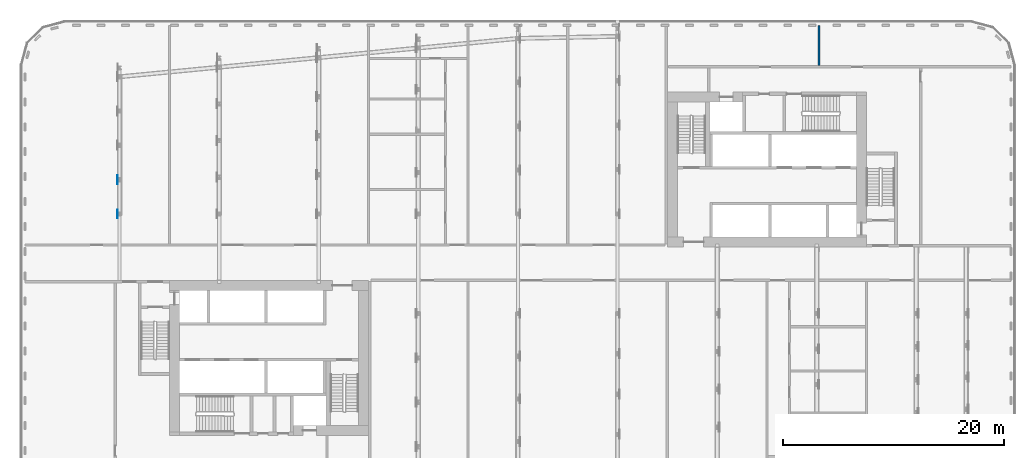
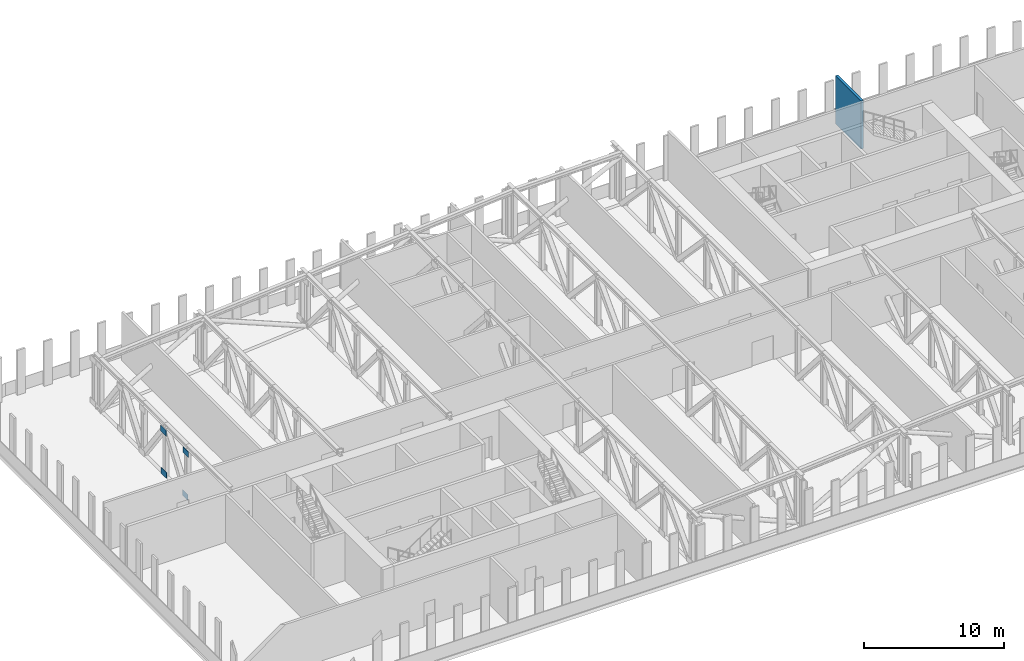
# One storey, part 10 of 22: 4 discrete accessories, 1 wall.
"""IFC4 building model written with IfcOpenShell, lengths in metres."""

from ifc_helpers import new_model, si_unit, direction, frame, frame_2d, origin, place, context, subcontext, project, spatial, polyline, rectangle, outline, extrude, material, layer, layer_set, type_object, element, save


model = new_model("IFC4")

# Units and contexts
model_context = context("Model", 3, precision=1e-05, world=origin(), true_north=direction((0.0, 1.0)))
body_context = subcontext(model_context, "Body", "Model", "MODEL_VIEW")
ifc_project = project(units=[si_unit("LENGTHUNIT", "METRE"), si_unit("AREAUNIT", "SQUARE_METRE"), si_unit("VOLUMEUNIT", "CUBIC_METRE"), si_unit("PLANEANGLEUNIT", "RADIAN"), si_unit("MASSUNIT", "GRAM", prefix="KILO")], contexts=[model_context])

# Site, building, storey
site_placement = place(None, origin())
site = spatial("IfcSite", under=ifc_project, at=site_placement, CompositionType="ELEMENT")
building_placement = place(site_placement, origin())
building = spatial("IfcBuilding", under=site, at=building_placement, Name="Kajstack Hotel Tower", CompositionType="ELEMENT")
storey_placement = place(building_placement, frame((0.0, 0.0, 99.60009765625)))
storey = spatial("IfcBuildingStorey", under=building, at=storey_placement, Name="L21", CompositionType="ELEMENT", Elevation=99.60009765625)

# Wall
ifc_material_1 = material(Name="Gypsum board on steel studs, mineral wool", Category="steel")
ifc_layer_1 = layer(ifc_material_1, 0.199951171875)
ifc_layer_set_1 = layer_set([ifc_layer_1], Name="Service partition 200")
wall_type = type_object("IfcWallType", Name="Service partition 200", PredefinedType="PARTITIONING", material=ifc_layer_set_1)
wall_placement = place(storey_placement, frame((27.199951171875, 17.89990234375, 0.0), z_axis=(0.0, 0.0, 1.0), x_axis=(0.0, 1.0, 0.0)))
element("IfcWall", 1, at=wall_placement, inside=storey, type_object=wall_type, Name="Partition E SLP0", PredefinedType="PARTITIONING", context=body_context, shape_type="SweptSolid", body=[
    extrude(rectangle(XDim=3.650146484375, YDim=0.199951171875, at=frame_2d((1.8251953125, 0.0))), origin(), (0.0, 0.0, 1.0), 4.199951171875),
])

# Discrete accessories
ifc_material_2 = material(Name="Steel S355J2", Category="steel")
ifc_layer_2 = layer(ifc_material_2, 0.02001953125)
ifc_layer_set_2 = layer_set([ifc_layer_2], Name="GUSSET PLATE")
discrete_accessory_type = type_object("IfcDiscreteAccessoryType", Name="GUSSET PLATE", PredefinedType="BRACKET", material=ifc_layer_set_2)
for number, where, z_axis, x_axis, name in (
    (2, (-36.219970703125, 4.5, 0.0), (1.0, 0.0, 0.0), (0.0, 1.0, 0.0), "Gusset plate L21-151"),
    (3, (-36.175048828125, 4.5, 3.699951171875), (1.0, 0.0, 0.0), (0.0, 1.0, 0.0), "Gusset plate L21-152"),
    (4, (-36.175048828125, 7.59912109375, 0.0), (1.0, 0.0, 0.0), (0.0, 1.0, 0.0), "Gusset plate L21-153"),
    (5, (-36.219970703125, 7.59912109375, 3.699951171875), (1.0, 0.0, 0.0), (0.0, 1.0, 0.0), "Gusset plate L21-154"),
):
    element("IfcDiscreteAccessory", number, at=place(storey_placement, frame(where, z_axis=z_axis, x_axis=x_axis)), inside=storey, type_object=discrete_accessory_type, Name=name, PredefinedType="BRACKET", context=body_context, shape_type="SweptSolid", body=[
        extrude(outline(polyline([(-0.39990234375, 0.0), (0.39990234375, 0.0), (0.39990234375, 0.5), (-0.39990234375, 0.5), (-0.39990234375, 0.0)])), origin(), (0.0, 0.0, 1.0), 0.02001953125),
    ])

save(model, "model.ifc")
